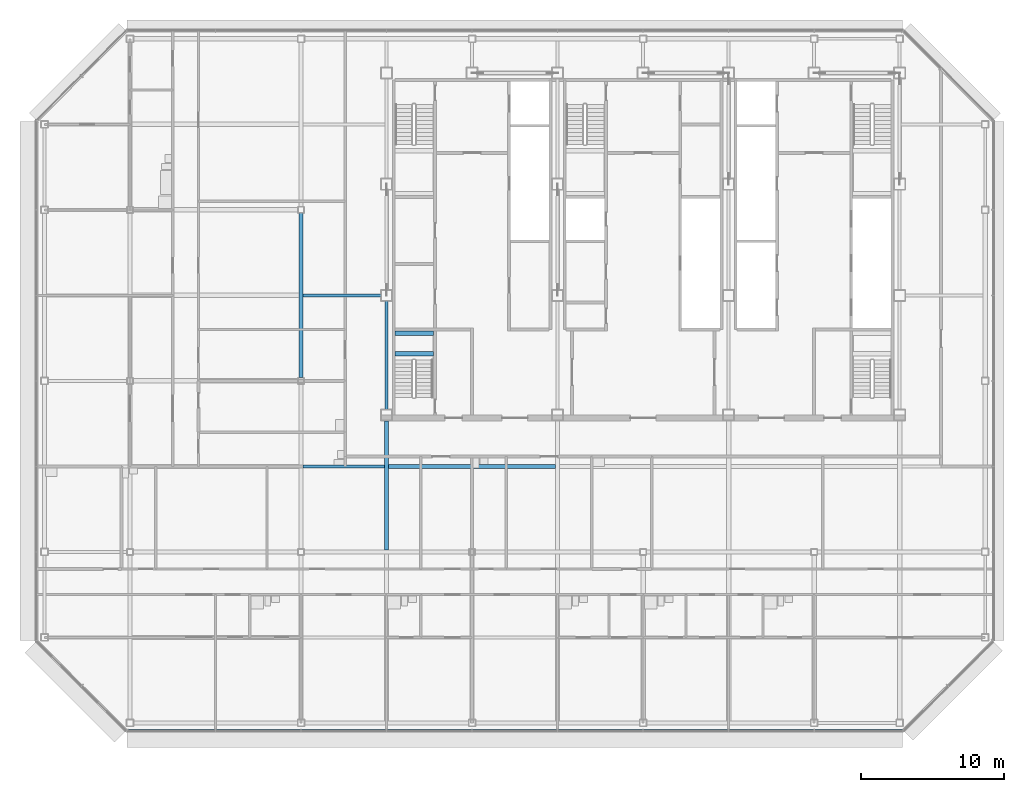
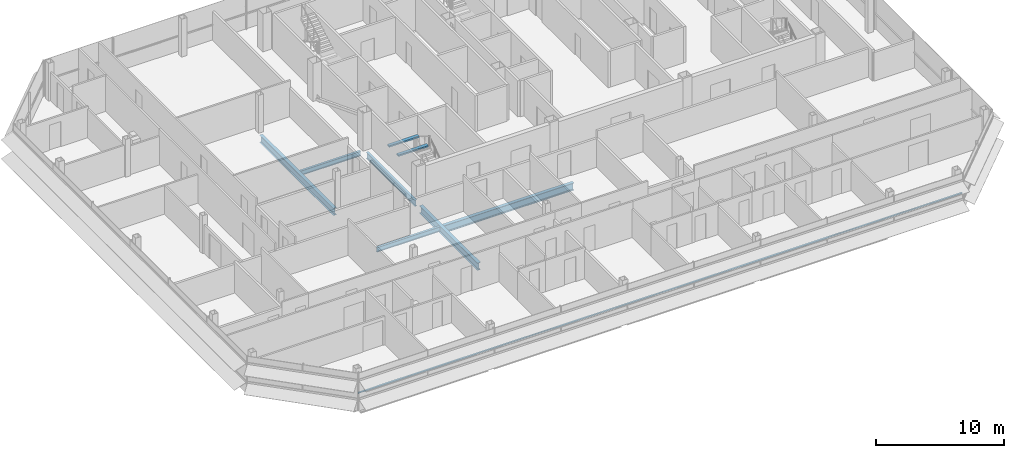
# One storey, part 9 of 28: 8 beams, 1 member, 1 element without a shape of its own.
"""IFC4 building model written with IfcOpenShell, lengths in metres."""

from ifc_helpers import new_model, si_unit, direction, frame, origin, origin_2d, place, context, subcontext, project, spatial, rectangle, i_section, extrude, material, material_profile, profile_set, type_object, element, aggregate, save


model = new_model("IFC4")

# Units and contexts
model_context = context("Model", 3, precision=1e-05, world=origin(), true_north=direction((0.0, 1.0)))
body_context = subcontext(model_context, "Body", "Model", "MODEL_VIEW")
ifc_project = project(units=[si_unit("LENGTHUNIT", "METRE"), si_unit("AREAUNIT", "SQUARE_METRE"), si_unit("VOLUMEUNIT", "CUBIC_METRE"), si_unit("PLANEANGLEUNIT", "RADIAN"), si_unit("MASSUNIT", "GRAM", prefix="KILO")], contexts=[model_context])

# Site, building, storey
site_placement = place(None, origin())
site = spatial("IfcSite", under=ifc_project, at=site_placement, CompositionType="ELEMENT")
building_placement = place(site_placement, origin())
building = spatial("IfcBuilding", under=site, at=building_placement, Name="Sorahane Residences", CompositionType="ELEMENT")
storey_placement = place(building_placement, frame((0.0, 0.0, 308.800048828125)))
storey = spatial("IfcBuildingStorey", under=building, at=storey_placement, Name="L73", CompositionType="ELEMENT", Elevation=308.800048828125)

# Curtain wall, member
ifc_material_1 = material(Name="Dark low-e glass and black anodised aluminium", Category="aluminium")
curtain_wall_type = type_object("IfcCurtainWallType", Name="Curtain wall CW-1 Typical unitised wall", PredefinedType="NOTDEFINED", material=ifc_material_1)
curtain_wall_placement = place(storey_placement, origin())
curtain_wall = element("IfcCurtainWall", 1, at=curtain_wall_placement, inside=storey, type_object=curtain_wall_type, Name="CW-1 curtain wall L73 S1", PredefinedType="NOTDEFINED")
ifc_material_2 = material(Name="Black anodised aluminium", Category="aluminium")
ifc_material_profile_1 = material_profile(ifc_material_2, rectangle(XDim=0.10009765625, YDim=0.06005859375, at=origin_2d()), Name="Curtain wall transom CW-1 black anodised aluminium 60x100")
ifc_profile_set_1 = profile_set([ifc_material_profile_1], Name="Black anodised aluminium")
member_type = type_object("IfcMemberType", Name="Curtain wall transom CW-1 black anodised aluminium 60x100", PredefinedType="USERDEFINED", material=ifc_profile_set_1)
member_placement = place(storey_placement, frame((-12.198486328125, -0.530029296875, 1.5), z_axis=(1.0, 0.0, 0.0), x_axis=(0.0, 1.0, 0.0)))
member = element("IfcMember", 2, at=member_placement, type_object=member_type, Name="CW-1 transom L73 S1", ObjectType="TRANSOM", PredefinedType="USERDEFINED", context=body_context, shape_type="SweptSolid", body=[
    extrude(rectangle(XDim=0.10009765625, YDim=0.06005859375, at=origin_2d()), origin(), (0.0, 0.0, 1.0), 54.39697265625),
])
aggregate(curtain_wall, [member])

# Beams
ifc_material_3 = material(Name="Concrete C40", Category="concrete")
ifc_material_profile_2 = material_profile(ifc_material_3, rectangle(XDim=0.300048828125, YDim=0.139892578125, at=origin_2d()), Name="300x140")
ifc_profile_set_2 = profile_set([ifc_material_profile_2], Name="Concrete C40")
beam_type_1 = type_object("IfcBeamType", Name="RC landing beam 300 x 140 Concrete C40", PredefinedType="BEAM", material=ifc_profile_set_2)
for number, where, z_axis, x_axis, name in (
    (3, (6.60009765625, 25.89990234375, 1.530029296875), (1.0, 0.0, 0.0), (0.0, 1.0, 0.0), "Landing beam"),
    (4, (6.60009765625, 27.35009765625, 1.530029296875), (1.0, 0.0, 0.0), (0.0, 1.0, 0.0), "Landing beam"),
):
    element("IfcBeam", number, at=place(storey_placement, frame(where, z_axis=z_axis, x_axis=x_axis)), inside=storey, type_object=beam_type_1, Name=name, PredefinedType="BEAM", context=body_context, shape_type="SweptSolid", body=[
        extrude(rectangle(XDim=0.300048828125, YDim=0.139892578125, at=origin_2d()), origin(), (0.0, 0.0, 1.0), 2.699951171875),
    ])
ifc_material_4 = material(Name="Steel Q355B", Category="steel")
ifc_material_profile_3 = material_profile(ifc_material_4, i_section(OverallWidth=0.199951171875, OverallDepth=0.449951171875, WebThickness=0.009033203125, FlangeThickness=0.013916015625, FilletRadius=0.02001953125, at=origin_2d()), Name="HN 450x200x9x14")
ifc_profile_set_3 = profile_set([ifc_material_profile_3], Name="Steel Q355B")
beam_type_2 = type_object("IfcBeamType", Name="Steel floor beam HN 450x200x9x14 Q355B", PredefinedType="BEAM", material=ifc_profile_set_3)
beam_1_placement = place(storey_placement, frame((0.14990234375, 18.0, -0.405029296875), z_axis=(1.0, 0.0, 0.0), x_axis=(0.0, 1.0, 0.0)))
element("IfcBeam", 5, at=beam_1_placement, inside=storey, type_object=beam_type_2, Name="Beam L73 078", PredefinedType="BEAM", context=body_context, shape_type="SweptSolid", body=[
    extrude(i_section(OverallWidth=0.199951171875, OverallDepth=0.449951171875, WebThickness=0.009033203125, FlangeThickness=0.013916015625, FilletRadius=0.02001953125, at=origin_2d()), origin(), (0.0, 0.0, 1.0), 5.7001953125),
])
beam_2_placement = place(storey_placement, frame((0.14990234375, 30.0, -0.405029296875), z_axis=(1.0, 0.0, 0.0), x_axis=(0.0, 1.0, 0.0)))
element("IfcBeam", 6, at=beam_2_placement, inside=storey, type_object=beam_type_2, Name="Beam L73 085", PredefinedType="BEAM", context=body_context, shape_type="SweptSolid", body=[
    extrude(i_section(OverallWidth=0.199951171875, OverallDepth=0.449951171875, WebThickness=0.009033203125, FlangeThickness=0.013916015625, FilletRadius=0.02001953125, at=origin_2d()), origin(), (0.0, 0.0, 1.0), 5.4501953125),
])
ifc_material_5 = material(Name="Steel Q355B", Category="steel")
ifc_material_profile_4 = material_profile(ifc_material_5, i_section(OverallWidth=0.199951171875, OverallDepth=0.60009765625, WebThickness=0.010986328125, FlangeThickness=0.01708984375, FilletRadius=0.02392578125, at=origin_2d()), Name="HN 600x200x11x17")
ifc_profile_set_4 = profile_set([ifc_material_profile_4], Name="Steel Q355B")
beam_type_3 = type_object("IfcBeamType", Name="Steel floor beam HN 600x200x11x17 Q355B", PredefinedType="BEAM", material=ifc_profile_set_4)
beam_3_placement = place(storey_placement, frame((6.0, 22.0, -0.47998046875), z_axis=(0.0, 1.0, 0.0), x_axis=(-1.0, 0.0, 0.0)))
element("IfcBeam", 7, at=beam_3_placement, inside=storey, type_object=beam_type_3, Name="Beam L73 034", PredefinedType="BEAM", context=body_context, shape_type="SweptSolid", body=[
    extrude(i_section(OverallWidth=0.199951171875, OverallDepth=0.60009765625, WebThickness=0.010986328125, FlangeThickness=0.01708984375, FilletRadius=0.02392578125, at=origin_2d()), origin(), (0.0, 0.0, 1.0), 7.60009765625),
])
ifc_material_6 = material(Name="Steel Q355B", Category="steel")
ifc_material_profile_5 = material_profile(ifc_material_6, i_section(OverallWidth=0.300048828125, OverallDepth=0.699951171875, WebThickness=0.012939453125, FlangeThickness=0.02392578125, FilletRadius=0.028076171875, at=origin_2d()), Name="HN 700x300x13x24")
ifc_profile_set_5 = profile_set([ifc_material_profile_5], Name="Steel Q355B")
beam_type_4 = type_object("IfcBeamType", Name="Steel floor beam HN 700x300x13x24 Q355B", PredefinedType="BEAM", material=ifc_profile_set_5)
beam_4_placement = place(storey_placement, frame((0.0, 24.22509765625, -0.530029296875), z_axis=(0.0, 1.0, 0.0), x_axis=(-1.0, 0.0, 0.0)))
element("IfcBeam", 8, at=beam_4_placement, inside=storey, type_object=beam_type_4, Name="Beam L73 030", PredefinedType="BEAM", context=body_context, shape_type="SweptSolid", body=[
    extrude(i_section(OverallWidth=0.300048828125, OverallDepth=0.699951171875, WebThickness=0.012939453125, FlangeThickness=0.02392578125, FilletRadius=0.028076171875, at=origin_2d()), origin(), (0.0, 0.0, 1.0), 11.5498046875),
])
beam_5_placement = place(storey_placement, frame((6.0, 12.14990234375, -0.530029296875), z_axis=(0.0, 1.0, 0.0), x_axis=(-1.0, 0.0, 0.0)))
element("IfcBeam", 9, at=beam_5_placement, inside=storey, type_object=beam_type_4, Name="Beam L73 033", PredefinedType="BEAM", context=body_context, shape_type="SweptSolid", body=[
    extrude(i_section(OverallWidth=0.300048828125, OverallDepth=0.699951171875, WebThickness=0.012939453125, FlangeThickness=0.02392578125, FilletRadius=0.028076171875, at=origin_2d()), origin(), (0.0, 0.0, 1.0), 9.050048828125),
])
beam_6_placement = place(storey_placement, frame((6.14990234375, 18.0, -0.530029296875), z_axis=(1.0, 0.0, 0.0), x_axis=(0.0, 1.0, 0.0)))
element("IfcBeam", 10, at=beam_6_placement, inside=storey, type_object=beam_type_4, Name="Beam L73 079", PredefinedType="BEAM", context=body_context, shape_type="SweptSolid", body=[
    extrude(i_section(OverallWidth=0.300048828125, OverallDepth=0.699951171875, WebThickness=0.012939453125, FlangeThickness=0.02392578125, FilletRadius=0.028076171875, at=origin_2d()), origin(), (0.0, 0.0, 1.0), 11.7001953125),
])

save(model, "model.ifc")
